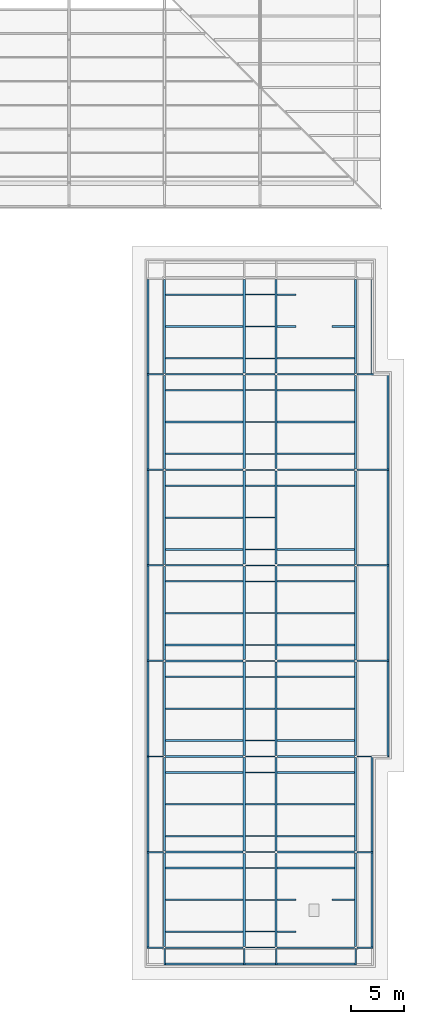
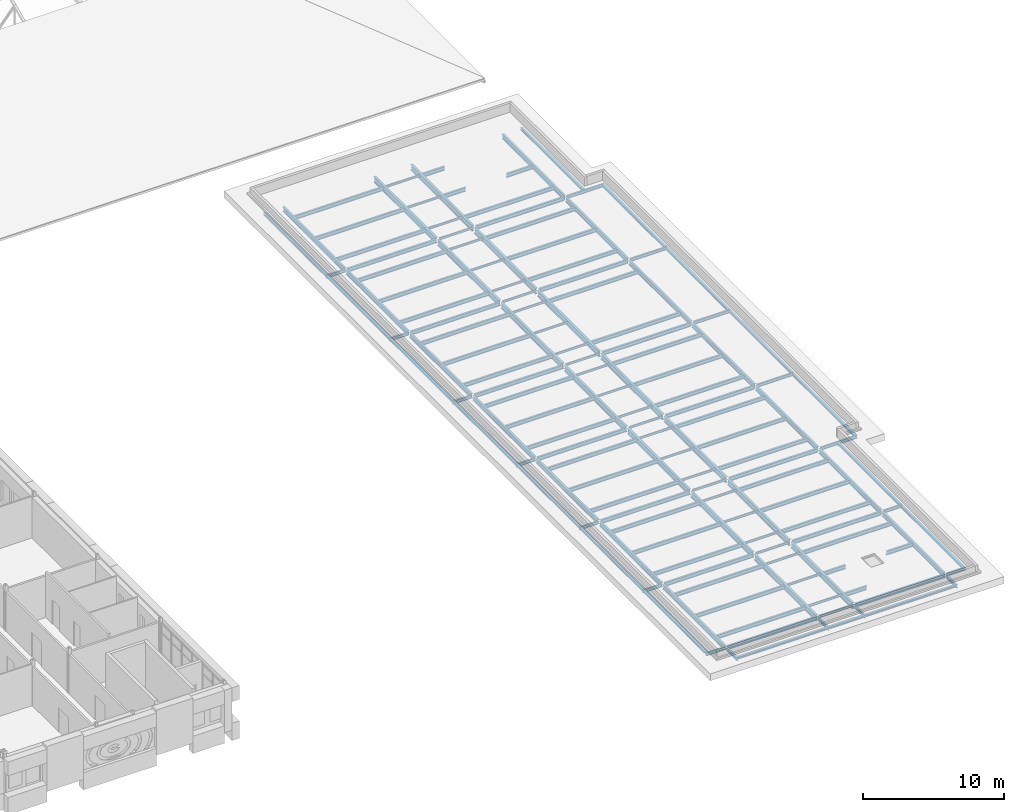
# One storey, part 58 of 154: 148 beams.
"""IFC4 building model written with IfcOpenShell, lengths in metres."""

from ifc_helpers import new_model, si_unit, direction, frame, origin, origin_2d, place, context, subcontext, project, spatial, i_section, extrude, material, material_profile, profile_set, type_object, element, save


model = new_model("IFC4")

# Units and contexts
model_context = context("Model", 3, precision=1e-05, world=origin(), true_north=direction((0.0, 1.0)))
body_context = subcontext(model_context, "Body", "Model", "MODEL_VIEW")
ifc_project = project(units=[si_unit("LENGTHUNIT", "METRE"), si_unit("AREAUNIT", "SQUARE_METRE"), si_unit("VOLUMEUNIT", "CUBIC_METRE"), si_unit("PLANEANGLEUNIT", "RADIAN"), si_unit("MASSUNIT", "GRAM", prefix="KILO")], contexts=[model_context])

# Site, building, storey
site_placement = place(None, origin())
site = spatial("IfcSite", under=ifc_project, at=site_placement, CompositionType="ELEMENT")
building_placement = place(site_placement, origin())
building = spatial("IfcBuilding", under=site, at=building_placement, Name="Golden Quay Civic Hall", CompositionType="ELEMENT")
storey_placement = place(building_placement, frame((0.0, 0.0, 14.39990234375)))
storey = spatial("IfcBuildingStorey", under=building, at=storey_placement, Name="L03", CompositionType="ELEMENT", Elevation=14.39990234375)

# Beams
ifc_material_1 = material(Name="Steel S355", Category="steel")
ifc_material_profile_1 = material_profile(ifc_material_1, i_section(OverallWidth=0.199951171875, OverallDepth=0.18994140625, WebThickness=0.006591796875, FlangeThickness=0.010009765625, FilletRadius=0.01806640625, at=origin_2d()), Name="HEA 200")
ifc_profile_set_1 = profile_set([ifc_material_profile_1], Name="Steel S355")
beam_type_1 = type_object("IfcBeamType", Name="Eave edge beam HEA 200", PredefinedType="BEAM", material=ifc_profile_set_1)
for number, where, z_axis, x_axis, name in (
    (1, (151.449951171875, -8.9326171875, -0.344970703125), (0.0, 1.0, 0.0), (-1.0, 0.0, 0.0), "Eave edge beam HEA 200 L03 1"),
    (2, (151.449951171875, 0.0673828125, -0.344970703125), (0.0, 1.0, 0.0), (-1.0, 0.0, 0.0), "Eave edge beam HEA 200 L03 2"),
    (3, (151.449951171875, 9.0673828125, -0.344970703125), (0.0, 1.0, 0.0), (-1.0, 0.0, 0.0), "Eave edge beam HEA 200 L03 3"),
    (4, (151.449951171875, 18.0673828125, -0.344970703125), (0.0, 1.0, 0.0), (-1.0, 0.0, 0.0), "Eave edge beam HEA 200 L03 4"),
    (5, (151.449951171875, 27.0673828125, -0.344970703125), (0.0, 1.0, 0.0), (-1.0, 0.0, 0.0), "Eave edge beam HEA 200 L03 5"),
    (6, (151.449951171875, 36.0673828125, -0.344970703125), (0.0, 1.0, 0.0), (-1.0, 0.0, 0.0), "Eave edge beam HEA 200 L03 6"),
    (7, (151.449951171875, 45.0673828125, -0.344970703125), (0.0, 1.0, 0.0), (-1.0, 0.0, 0.0), "Eave edge beam HEA 200 L03 7"),
    (8, (172.550048828125, -8.9326171875, -0.344970703125), (0.0, 1.0, 0.0), (-1.0, 0.0, 0.0), "Eave edge beam HEA 200 L03 11"),
    (9, (172.550048828125, 0.0673828125, -0.344970703125), (0.0, 1.0, 0.0), (-1.0, 0.0, 0.0), "Eave edge beam HEA 200 L03 12"),
    (10, (174.050048828125, 9.0673828125, -0.344970703125), (0.0, 1.0, 0.0), (-1.0, 0.0, 0.0), "Eave edge beam HEA 200 L03 13"),
    (11, (174.050048828125, 18.0673828125, -0.344970703125), (0.0, 1.0, 0.0), (-1.0, 0.0, 0.0), "Eave edge beam HEA 200 L03 14"),
    (12, (174.050048828125, 27.0673828125, -0.344970703125), (0.0, 1.0, 0.0), (-1.0, 0.0, 0.0), "Eave edge beam HEA 200 L03 15"),
    (13, (174.050048828125, 36.0673828125, -0.344970703125), (0.0, 1.0, 0.0), (-1.0, 0.0, 0.0), "Eave edge beam HEA 200 L03 16"),
    (14, (172.550048828125, 45.0673828125, -0.344970703125), (0.0, 1.0, 0.0), (-1.0, 0.0, 0.0), "Eave edge beam HEA 200 L03 17"),
):
    element("IfcBeam", number, at=place(storey_placement, frame(where, z_axis=z_axis, x_axis=x_axis)), inside=storey, type_object=beam_type_1, Name=name, PredefinedType="BEAM", context=body_context, shape_type="SweptSolid", body=[
        extrude(i_section(OverallWidth=0.199951171875, OverallDepth=0.18994140625, WebThickness=0.006591796875, FlangeThickness=0.010009765625, FilletRadius=0.01806640625, at=origin_2d()), origin(), (0.0, 0.0, 1.0), 8.865234375),
    ])
beam_1_placement = place(storey_placement, frame((153.0673828125, -10.550048828125, -0.344970703125), z_axis=(1.0, 0.0, 0.0), x_axis=(0.0, 1.0, 0.0)))
element("IfcBeam", 15, at=beam_1_placement, inside=storey, type_object=beam_type_1, Name="Eave edge beam HEA 200 L03 18", PredefinedType="BEAM", context=body_context, shape_type="SweptSolid", body=[
    extrude(i_section(OverallWidth=0.199951171875, OverallDepth=0.18994140625, WebThickness=0.006591796875, FlangeThickness=0.010009765625, FilletRadius=0.01806640625, at=origin_2d()), origin(), (0.0, 0.0, 1.0), 7.365234375),
])
beam_2_placement = place(storey_placement, frame((160.5673828125, -10.550048828125, -0.344970703125), z_axis=(1.0, 0.0, 0.0), x_axis=(0.0, 1.0, 0.0)))
element("IfcBeam", 16, at=beam_2_placement, inside=storey, type_object=beam_type_1, Name="Eave edge beam HEA 200 L03 19", PredefinedType="BEAM", context=body_context, shape_type="SweptSolid", body=[
    extrude(i_section(OverallWidth=0.199951171875, OverallDepth=0.18994140625, WebThickness=0.006591796875, FlangeThickness=0.010009765625, FilletRadius=0.01806640625, at=origin_2d()), origin(), (0.0, 0.0, 1.0), 2.865234375),
])
beam_3_placement = place(storey_placement, frame((163.5673828125, -10.550048828125, -0.344970703125), z_axis=(1.0, 0.0, 0.0), x_axis=(0.0, 1.0, 0.0)))
element("IfcBeam", 17, at=beam_3_placement, inside=storey, type_object=beam_type_1, Name="Eave edge beam HEA 200 L03 20", PredefinedType="BEAM", context=body_context, shape_type="SweptSolid", body=[
    extrude(i_section(OverallWidth=0.199951171875, OverallDepth=0.18994140625, WebThickness=0.006591796875, FlangeThickness=0.010009765625, FilletRadius=0.01806640625, at=origin_2d()), origin(), (0.0, 0.0, 1.0), 7.365234375),
])
ifc_material_2 = material(Name="Steel S355", Category="steel")
ifc_material_profile_2 = material_profile(ifc_material_2, i_section(OverallWidth=0.135009765625, OverallDepth=0.27001953125, WebThickness=0.006591796875, FlangeThickness=0.01025390625, FilletRadius=0.014892578125, at=origin_2d()), Name="IPE 270")
ifc_profile_set_2 = profile_set([ifc_material_profile_2], Name="Steel S355")
beam_type_2 = type_object("IfcBeamType", Name="Eave stub IPE 270", PredefinedType="BEAM", material=ifc_profile_set_2)
for number, where, z_axis, x_axis, name in (
    (18, (152.89990234375, -9.0, -0.385009765625), (-1.0, 0.0, 0.0), (0.0, -1.0, 0.0), "Eave stub IPE 270 L03 1"),
    (19, (152.89990234375, 0.0, -0.385009765625), (-1.0, 0.0, 0.0), (0.0, -1.0, 0.0), "Eave stub IPE 270 L03 2"),
    (20, (152.89990234375, 9.0, -0.385009765625), (-1.0, 0.0, 0.0), (0.0, -1.0, 0.0), "Eave stub IPE 270 L03 3"),
    (21, (152.89990234375, 18.0, -0.385009765625), (-1.0, 0.0, 0.0), (0.0, -1.0, 0.0), "Eave stub IPE 270 L03 4"),
    (22, (152.89990234375, 27.0, -0.385009765625), (-1.0, 0.0, 0.0), (0.0, -1.0, 0.0), "Eave stub IPE 270 L03 5"),
    (23, (152.89990234375, 36.0, -0.385009765625), (-1.0, 0.0, 0.0), (0.0, -1.0, 0.0), "Eave stub IPE 270 L03 6"),
    (24, (152.89990234375, 45.0, -0.385009765625), (-1.0, 0.0, 0.0), (0.0, -1.0, 0.0), "Eave stub IPE 270 L03 7"),
    (25, (171.10009765625, -9.0, -0.385009765625), (1.0, 0.0, 0.0), (0.0, 1.0, 0.0), "Eave stub IPE 270 L03 13"),
    (26, (171.10009765625, 0.0, -0.385009765625), (1.0, 0.0, 0.0), (0.0, 1.0, 0.0), "Eave stub IPE 270 L03 14"),
):
    element("IfcBeam", number, at=place(storey_placement, frame(where, z_axis=z_axis, x_axis=x_axis)), inside=storey, type_object=beam_type_2, Name=name, PredefinedType="BEAM", context=body_context, shape_type="SweptSolid", body=[
        extrude(i_section(OverallWidth=0.135009765625, OverallDepth=0.27001953125, WebThickness=0.006591796875, FlangeThickness=0.01025390625, FilletRadius=0.014892578125, at=origin_2d()), origin(), (0.0, 0.0, 1.0), 1.5498046875),
    ])
for number, where, z_axis, x_axis, name in (
    (27, (171.10009765625, 9.0, -0.385009765625), (1.0, 0.0, 0.0), (0.0, 1.0, 0.0), "Eave stub IPE 270 L03 15"),
    (28, (171.10009765625, 18.0, -0.385009765625), (1.0, 0.0, 0.0), (0.0, 1.0, 0.0), "Eave stub IPE 270 L03 16"),
    (29, (171.10009765625, 27.0, -0.385009765625), (1.0, 0.0, 0.0), (0.0, 1.0, 0.0), "Eave stub IPE 270 L03 17"),
    (30, (171.10009765625, 36.0, -0.385009765625), (1.0, 0.0, 0.0), (0.0, 1.0, 0.0), "Eave stub IPE 270 L03 18"),
    (31, (171.10009765625, 45.0, -0.385009765625), (1.0, 0.0, 0.0), (0.0, 1.0, 0.0), "Eave stub IPE 270 L03 19"),
):
    element("IfcBeam", number, at=place(storey_placement, frame(where, z_axis=z_axis, x_axis=x_axis)), inside=storey, type_object=beam_type_2, Name=name, PredefinedType="BEAM", context=body_context, shape_type="SweptSolid", body=[
        extrude(i_section(OverallWidth=0.135009765625, OverallDepth=0.27001953125, WebThickness=0.006591796875, FlangeThickness=0.01025390625, FilletRadius=0.014892578125, at=origin_2d()), origin(), (0.0, 0.0, 1.0), 3.0498046875),
    ])
for number, where, z_axis, x_axis, name in (
    (32, (153.0, -9.094970703125, -0.385009765625), (0.0, -1.0, 0.0), (1.0, 0.0, 0.0), "Eave stub IPE 270 L03 21"),
    (33, (160.5, -9.094970703125, -0.385009765625), (0.0, -1.0, 0.0), (1.0, 0.0, 0.0), "Eave stub IPE 270 L03 22"),
    (34, (163.5, -9.094970703125, -0.385009765625), (0.0, -1.0, 0.0), (1.0, 0.0, 0.0), "Eave stub IPE 270 L03 23"),
    (35, (171.0, -9.094970703125, -0.385009765625), (0.0, -1.0, 0.0), (1.0, 0.0, 0.0), "Eave stub IPE 270 L03 24"),
):
    element("IfcBeam", number, at=place(storey_placement, frame(where, z_axis=z_axis, x_axis=x_axis)), inside=storey, type_object=beam_type_2, Name=name, PredefinedType="BEAM", context=body_context, shape_type="SweptSolid", body=[
        extrude(i_section(OverallWidth=0.135009765625, OverallDepth=0.27001953125, WebThickness=0.006591796875, FlangeThickness=0.01025390625, FilletRadius=0.014892578125, at=origin_2d()), origin(), (0.0, 0.0, 1.0), 1.554931640625),
    ])
ifc_material_3 = material(Name="Steel S355", Category="steel")
ifc_material_profile_3 = material_profile(ifc_material_3, i_section(OverallWidth=0.10009765625, OverallDepth=0.199951171875, WebThickness=0.005615234375, FlangeThickness=0.008544921875, FilletRadius=0.011962890625, at=origin_2d()), Name="IPE 200")
ifc_profile_set_3 = profile_set([ifc_material_profile_3], Name="Steel S355")
beam_type_3 = type_object("IfcBeamType", Name="Steel beam IPE 200", PredefinedType="BEAM", material=ifc_profile_set_3)
beam_4_placement = place(storey_placement, frame((160.60009765625, -9.0, -0.349853515625), z_axis=(1.0, 0.0, 0.0), x_axis=(0.0, 1.0, 0.0)))
element("IfcBeam", 36, at=beam_4_placement, inside=storey, type_object=beam_type_3, Name="Beam S-9-160.5", PredefinedType="BEAM", context=body_context, shape_type="SweptSolid", body=[
    extrude(i_section(OverallWidth=0.10009765625, OverallDepth=0.199951171875, WebThickness=0.005615234375, FlangeThickness=0.008544921875, FilletRadius=0.011962890625, at=origin_2d()), origin(), (0.0, 0.0, 1.0), 2.7998046875),
])
for number, where, z_axis, x_axis, name in (
    (37, (160.6201171875, 0.0, -0.349853515625), (1.0, 0.0, 0.0), (0.0, 1.0, 0.0), "Beam S0-160.5"),
    (38, (160.6201171875, 9.0, -0.349853515625), (1.0, 0.0, 0.0), (0.0, 1.0, 0.0), "Beam S9-160.5"),
    (39, (160.6201171875, 18.0, -0.349853515625), (1.0, 0.0, 0.0), (0.0, 1.0, 0.0), "Beam S18-160.5"),
    (40, (160.6201171875, 27.0, -0.349853515625), (1.0, 0.0, 0.0), (0.0, 1.0, 0.0), "Beam S27-160.5"),
    (41, (160.6201171875, 36.0, -0.349853515625), (1.0, 0.0, 0.0), (0.0, 1.0, 0.0), "Beam S36-160.5"),
    (42, (160.6201171875, 45.0, -0.349853515625), (1.0, 0.0, 0.0), (0.0, 1.0, 0.0), "Beam S45-160.5"),
):
    element("IfcBeam", number, at=place(storey_placement, frame(where, z_axis=z_axis, x_axis=x_axis)), inside=storey, type_object=beam_type_3, Name=name, PredefinedType="BEAM", context=body_context, shape_type="SweptSolid", body=[
        extrude(i_section(OverallWidth=0.10009765625, OverallDepth=0.199951171875, WebThickness=0.005615234375, FlangeThickness=0.008544921875, FilletRadius=0.011962890625, at=origin_2d()), origin(), (0.0, 0.0, 1.0), 2.759765625),
    ])
ifc_material_4 = material(Name="Steel S355", Category="steel")
ifc_material_profile_4 = material_profile(ifc_material_4, i_section(OverallWidth=0.159912109375, OverallDepth=0.330078125, WebThickness=0.007568359375, FlangeThickness=0.011474609375, FilletRadius=0.01806640625, at=origin_2d()), Name="IPE 330")
ifc_profile_set_4 = profile_set([ifc_material_profile_4], Name="Steel S355")
beam_type_4 = type_object("IfcBeamType", Name="Steel beam IPE 330", PredefinedType="BEAM", material=ifc_profile_set_4)
for number, where, z_axis, x_axis, name in (
    (43, (153.10009765625, -9.0, -0.414794921875), (1.0, 0.0, 0.0), (0.0, 1.0, 0.0), "Beam S-9-153"),
    (44, (163.60009765625, -9.0, -0.414794921875), (1.0, 0.0, 0.0), (0.0, 1.0, 0.0), "Beam S-9-163.5"),
):
    element("IfcBeam", number, at=place(storey_placement, frame(where, z_axis=z_axis, x_axis=x_axis)), inside=storey, type_object=beam_type_4, Name=name, PredefinedType="BEAM", context=body_context, shape_type="SweptSolid", body=[
        extrude(i_section(OverallWidth=0.159912109375, OverallDepth=0.330078125, WebThickness=0.007568359375, FlangeThickness=0.011474609375, FilletRadius=0.01806640625, at=origin_2d()), origin(), (0.0, 0.0, 1.0), 7.2998046875),
    ])
for number, where, z_axis, x_axis, name in (
    (45, (153.10009765625, 0.0, -0.414794921875), (1.0, 0.0, 0.0), (0.0, 1.0, 0.0), "Beam S0-153"),
    (46, (163.6201171875, 0.0, -0.414794921875), (1.0, 0.0, 0.0), (0.0, 1.0, 0.0), "Beam S0-163.5"),
    (47, (153.10009765625, 9.0, -0.414794921875), (1.0, 0.0, 0.0), (0.0, 1.0, 0.0), "Beam S9-153"),
    (48, (163.6201171875, 9.0, -0.414794921875), (1.0, 0.0, 0.0), (0.0, 1.0, 0.0), "Beam S9-163.5"),
    (49, (153.10009765625, 18.0, -0.414794921875), (1.0, 0.0, 0.0), (0.0, 1.0, 0.0), "Beam S18-153"),
    (50, (163.6201171875, 18.0, -0.414794921875), (1.0, 0.0, 0.0), (0.0, 1.0, 0.0), "Beam S18-163.5"),
    (51, (153.10009765625, 27.0, -0.414794921875), (1.0, 0.0, 0.0), (0.0, 1.0, 0.0), "Beam S27-153"),
    (52, (163.6201171875, 27.0, -0.414794921875), (1.0, 0.0, 0.0), (0.0, 1.0, 0.0), "Beam S27-163.5"),
    (53, (153.10009765625, 36.0, -0.414794921875), (1.0, 0.0, 0.0), (0.0, 1.0, 0.0), "Beam S36-153"),
    (54, (163.6201171875, 36.0, -0.414794921875), (1.0, 0.0, 0.0), (0.0, 1.0, 0.0), "Beam S36-163.5"),
    (55, (153.10009765625, 45.0, -0.414794921875), (1.0, 0.0, 0.0), (0.0, 1.0, 0.0), "Beam S45-153"),
    (56, (163.6201171875, 45.0, -0.414794921875), (1.0, 0.0, 0.0), (0.0, 1.0, 0.0), "Beam S45-163.5"),
):
    element("IfcBeam", number, at=place(storey_placement, frame(where, z_axis=z_axis, x_axis=x_axis)), inside=storey, type_object=beam_type_4, Name=name, PredefinedType="BEAM", context=body_context, shape_type="SweptSolid", body=[
        extrude(i_section(OverallWidth=0.159912109375, OverallDepth=0.330078125, WebThickness=0.007568359375, FlangeThickness=0.011474609375, FilletRadius=0.01806640625, at=origin_2d()), origin(), (0.0, 0.0, 1.0), 7.27978515625),
    ])
ifc_material_5 = material(Name="Steel S355", Category="steel")
ifc_material_profile_5 = material_profile(ifc_material_5, i_section(OverallWidth=0.179931640625, OverallDepth=0.39990234375, WebThickness=0.008544921875, FlangeThickness=0.013427734375, FilletRadius=0.02099609375, at=origin_2d()), Name="IPE 400")
ifc_profile_set_5 = profile_set([ifc_material_profile_5], Name="Steel S355")
beam_type_5 = type_object("IfcBeamType", Name="Steel beam IPE 400", PredefinedType="BEAM", material=ifc_profile_set_5)
for number, where, z_axis, x_axis, name in (
    (57, (153.0, -8.905029296875, -0.449951171875), (0.0, 1.0, 0.0), (-1.0, 0.0, 0.0), "Beam L153--9"),
    (58, (153.0, 0.094970703125, -0.449951171875), (0.0, 1.0, 0.0), (-1.0, 0.0, 0.0), "Beam L153-0"),
    (59, (153.0, 9.094970703125, -0.449951171875), (0.0, 1.0, 0.0), (-1.0, 0.0, 0.0), "Beam L153-9"),
    (60, (153.0, 18.094970703125, -0.449951171875), (0.0, 1.0, 0.0), (-1.0, 0.0, 0.0), "Beam L153-18"),
    (61, (153.0, 27.094970703125, -0.449951171875), (0.0, 1.0, 0.0), (-1.0, 0.0, 0.0), "Beam L153-27"),
    (62, (153.0, 36.094970703125, -0.449951171875), (0.0, 1.0, 0.0), (-1.0, 0.0, 0.0), "Beam L153-36"),
    (63, (153.0, 45.094970703125, -0.449951171875), (0.0, 1.0, 0.0), (-1.0, 0.0, 0.0), "Beam L153-45"),
    (64, (171.0, -8.905029296875, -0.449951171875), (0.0, 1.0, 0.0), (-1.0, 0.0, 0.0), "Beam L171--9"),
    (65, (171.0, 0.094970703125, -0.449951171875), (0.0, 1.0, 0.0), (-1.0, 0.0, 0.0), "Beam L171-0"),
    (66, (171.0, 9.094970703125, -0.449951171875), (0.0, 1.0, 0.0), (-1.0, 0.0, 0.0), "Beam L171-9"),
    (67, (171.0, 18.094970703125, -0.449951171875), (0.0, 1.0, 0.0), (-1.0, 0.0, 0.0), "Beam L171-18"),
    (68, (171.0, 27.094970703125, -0.449951171875), (0.0, 1.0, 0.0), (-1.0, 0.0, 0.0), "Beam L171-27"),
    (69, (171.0, 36.094970703125, -0.449951171875), (0.0, 1.0, 0.0), (-1.0, 0.0, 0.0), "Beam L171-36"),
    (70, (171.0, 45.094970703125, -0.449951171875), (0.0, 1.0, 0.0), (-1.0, 0.0, 0.0), "Beam L171-45"),
):
    element("IfcBeam", number, at=place(storey_placement, frame(where, z_axis=z_axis, x_axis=x_axis)), inside=storey, type_object=beam_type_5, Name=name, PredefinedType="BEAM", context=body_context, shape_type="SweptSolid", body=[
        extrude(i_section(OverallWidth=0.179931640625, OverallDepth=0.39990234375, WebThickness=0.008544921875, FlangeThickness=0.013427734375, FilletRadius=0.02099609375, at=origin_2d()), origin(), (0.0, 0.0, 1.0), 8.81005859375),
    ])
ifc_material_6 = material(Name="Steel S355", Category="steel")
ifc_material_profile_6 = material_profile(ifc_material_6, i_section(OverallWidth=0.199951171875, OverallDepth=0.5, WebThickness=0.01025390625, FlangeThickness=0.01611328125, FilletRadius=0.02099609375, at=origin_2d()), Name="IPE 500")
ifc_profile_set_6 = profile_set([ifc_material_profile_6], Name="Steel S355")
beam_type_6 = type_object("IfcBeamType", Name="Steel beam IPE 500", PredefinedType="BEAM", material=ifc_profile_set_6)
beam_5_placement = place(storey_placement, frame((160.5, -8.905029296875, -0.5), z_axis=(0.0, 1.0, 0.0), x_axis=(-1.0, 0.0, 0.0)))
element("IfcBeam", 71, at=beam_5_placement, inside=storey, type_object=beam_type_6, Name="Beam L160.5--9", PredefinedType="BEAM", context=body_context, shape_type="SweptSolid", body=[
    extrude(i_section(OverallWidth=0.199951171875, OverallDepth=0.5, WebThickness=0.01025390625, FlangeThickness=0.01611328125, FilletRadius=0.02099609375, at=origin_2d()), origin(), (0.0, 0.0, 1.0), 8.7900390625),
])
for number, where, z_axis, x_axis, name in (
    (72, (160.5, 0.114990234375, -0.5), (0.0, 1.0, 0.0), (-1.0, 0.0, 0.0), "Beam L160.5-0"),
    (73, (160.5, 9.114990234375, -0.5), (0.0, 1.0, 0.0), (-1.0, 0.0, 0.0), "Beam L160.5-9"),
    (74, (160.5, 18.114990234375, -0.5), (0.0, 1.0, 0.0), (-1.0, 0.0, 0.0), "Beam L160.5-18"),
    (75, (160.5, 27.114990234375, -0.5), (0.0, 1.0, 0.0), (-1.0, 0.0, 0.0), "Beam L160.5-27"),
    (76, (160.5, 36.114990234375, -0.5), (0.0, 1.0, 0.0), (-1.0, 0.0, 0.0), "Beam L160.5-36"),
):
    element("IfcBeam", number, at=place(storey_placement, frame(where, z_axis=z_axis, x_axis=x_axis)), inside=storey, type_object=beam_type_6, Name=name, PredefinedType="BEAM", context=body_context, shape_type="SweptSolid", body=[
        extrude(i_section(OverallWidth=0.199951171875, OverallDepth=0.5, WebThickness=0.01025390625, FlangeThickness=0.01611328125, FilletRadius=0.02099609375, at=origin_2d()), origin(), (0.0, 0.0, 1.0), 8.77001953125),
    ])
for number, where, z_axis, x_axis, name in (
    (77, (160.5, 45.114990234375, -0.5), (0.0, 1.0, 0.0), (-1.0, 0.0, 0.0), "Beam L160.5-45"),
    (78, (163.5, -8.905029296875, -0.5), (0.0, 1.0, 0.0), (-1.0, 0.0, 0.0), "Beam L163.5--9"),
):
    element("IfcBeam", number, at=place(storey_placement, frame(where, z_axis=z_axis, x_axis=x_axis)), inside=storey, type_object=beam_type_6, Name=name, PredefinedType="BEAM", context=body_context, shape_type="SweptSolid", body=[
        extrude(i_section(OverallWidth=0.199951171875, OverallDepth=0.5, WebThickness=0.01025390625, FlangeThickness=0.01611328125, FilletRadius=0.02099609375, at=origin_2d()), origin(), (0.0, 0.0, 1.0), 8.7900390625),
    ])
for number, where, z_axis, x_axis, name in (
    (79, (163.5, 0.114990234375, -0.5), (0.0, 1.0, 0.0), (-1.0, 0.0, 0.0), "Beam L163.5-0"),
    (80, (163.5, 9.114990234375, -0.5), (0.0, 1.0, 0.0), (-1.0, 0.0, 0.0), "Beam L163.5-9"),
    (81, (163.5, 18.114990234375, -0.5), (0.0, 1.0, 0.0), (-1.0, 0.0, 0.0), "Beam L163.5-18"),
    (82, (163.5, 27.114990234375, -0.5), (0.0, 1.0, 0.0), (-1.0, 0.0, 0.0), "Beam L163.5-27"),
    (83, (163.5, 36.114990234375, -0.5), (0.0, 1.0, 0.0), (-1.0, 0.0, 0.0), "Beam L163.5-36"),
):
    element("IfcBeam", number, at=place(storey_placement, frame(where, z_axis=z_axis, x_axis=x_axis)), inside=storey, type_object=beam_type_6, Name=name, PredefinedType="BEAM", context=body_context, shape_type="SweptSolid", body=[
        extrude(i_section(OverallWidth=0.199951171875, OverallDepth=0.5, WebThickness=0.01025390625, FlangeThickness=0.01611328125, FilletRadius=0.02099609375, at=origin_2d()), origin(), (0.0, 0.0, 1.0), 8.77001953125),
    ])
beam_6_placement = place(storey_placement, frame((163.5, 45.114990234375, -0.5), z_axis=(0.0, 1.0, 0.0), x_axis=(-1.0, 0.0, 0.0)))
element("IfcBeam", 84, at=beam_6_placement, inside=storey, type_object=beam_type_6, Name="Beam L163.5-45", PredefinedType="BEAM", context=body_context, shape_type="SweptSolid", body=[
    extrude(i_section(OverallWidth=0.199951171875, OverallDepth=0.5, WebThickness=0.01025390625, FlangeThickness=0.01611328125, FilletRadius=0.02099609375, at=origin_2d()), origin(), (0.0, 0.0, 1.0), 8.7900390625),
])
ifc_material_7 = material(Name="Steel S355", Category="steel")
ifc_material_profile_7 = material_profile(ifc_material_7, i_section(OverallWidth=0.10009765625, OverallDepth=0.199951171875, WebThickness=0.005615234375, FlangeThickness=0.008544921875, FilletRadius=0.011962890625, at=origin_2d()), Name="IPE 200")
ifc_profile_set_7 = profile_set([ifc_material_profile_7], Name="Steel S355")
beam_type_7 = type_object("IfcBeamType", Name="Steel joist IPE 200", PredefinedType="JOIST", material=ifc_profile_set_7)
for number, where, z_axis, x_axis, name in (
    (85, (160.60009765625, -7.5, -0.349853515625), (1.0, 0.0, 0.0), (0.0, 1.0, 0.0), "Joist J-7.5-160.5"),
    (86, (160.60009765625, -4.5, -0.349853515625), (1.0, 0.0, 0.0), (0.0, 1.0, 0.0), "Joist J-4.5-160.5"),
    (87, (160.60009765625, -1.5, -0.349853515625), (1.0, 0.0, 0.0), (0.0, 1.0, 0.0), "Joist J-1.5-160.5"),
    (88, (160.60009765625, 1.5, -0.349853515625), (1.0, 0.0, 0.0), (0.0, 1.0, 0.0), "Joist J1.5-160.5"),
    (89, (160.60009765625, 4.5, -0.349853515625), (1.0, 0.0, 0.0), (0.0, 1.0, 0.0), "Joist J4.5-160.5"),
    (90, (160.60009765625, 7.5, -0.349853515625), (1.0, 0.0, 0.0), (0.0, 1.0, 0.0), "Joist J7.5-160.5"),
    (91, (160.60009765625, 10.5, -0.349853515625), (1.0, 0.0, 0.0), (0.0, 1.0, 0.0), "Joist J10.5-160.5"),
    (92, (160.60009765625, 13.5, -0.349853515625), (1.0, 0.0, 0.0), (0.0, 1.0, 0.0), "Joist J13.5-160.5"),
    (93, (160.60009765625, 16.5, -0.349853515625), (1.0, 0.0, 0.0), (0.0, 1.0, 0.0), "Joist J16.5-160.5"),
    (94, (160.60009765625, 19.5, -0.349853515625), (1.0, 0.0, 0.0), (0.0, 1.0, 0.0), "Joist J19.5-160.5"),
    (95, (160.60009765625, 22.5, -0.349853515625), (1.0, 0.0, 0.0), (0.0, 1.0, 0.0), "Joist J22.5-160.5"),
    (96, (160.60009765625, 25.5, -0.349853515625), (1.0, 0.0, 0.0), (0.0, 1.0, 0.0), "Joist J25.5-160.5"),
    (97, (160.60009765625, 28.5, -0.349853515625), (1.0, 0.0, 0.0), (0.0, 1.0, 0.0), "Joist J28.5-160.5"),
    (98, (160.60009765625, 31.5, -0.349853515625), (1.0, 0.0, 0.0), (0.0, 1.0, 0.0), "Joist J31.5-160.5"),
    (99, (160.60009765625, 34.5, -0.349853515625), (1.0, 0.0, 0.0), (0.0, 1.0, 0.0), "Joist J34.5-160.5"),
    (100, (160.60009765625, 37.5, -0.349853515625), (1.0, 0.0, 0.0), (0.0, 1.0, 0.0), "Joist J37.5-160.5"),
    (101, (160.60009765625, 40.5, -0.349853515625), (1.0, 0.0, 0.0), (0.0, 1.0, 0.0), "Joist J40.5-160.5"),
    (102, (160.60009765625, 43.5, -0.349853515625), (1.0, 0.0, 0.0), (0.0, 1.0, 0.0), "Joist J43.5-160.5"),
    (103, (160.60009765625, 46.5, -0.349853515625), (1.0, 0.0, 0.0), (0.0, 1.0, 0.0), "Joist J46.5-160.5"),
    (104, (160.60009765625, 49.5, -0.349853515625), (1.0, 0.0, 0.0), (0.0, 1.0, 0.0), "Joist J49.5-160.5"),
    (105, (160.60009765625, 52.5, -0.349853515625), (1.0, 0.0, 0.0), (0.0, 1.0, 0.0), "Joist J52.5-160.5"),
):
    element("IfcBeam", number, at=place(storey_placement, frame(where, z_axis=z_axis, x_axis=x_axis)), inside=storey, type_object=beam_type_7, Name=name, PredefinedType="JOIST", context=body_context, shape_type="SweptSolid", body=[
        extrude(i_section(OverallWidth=0.10009765625, OverallDepth=0.199951171875, WebThickness=0.005615234375, FlangeThickness=0.008544921875, FilletRadius=0.011962890625, at=origin_2d()), origin(), (0.0, 0.0, 1.0), 2.7998046875),
    ])
ifc_material_8 = material(Name="Steel S355", Category="steel")
ifc_material_profile_8 = material_profile(ifc_material_8, i_section(OverallWidth=0.159912109375, OverallDepth=0.330078125, WebThickness=0.007568359375, FlangeThickness=0.011474609375, FilletRadius=0.01806640625, at=origin_2d()), Name="IPE 330")
ifc_profile_set_8 = profile_set([ifc_material_profile_8], Name="Steel S355")
beam_type_8 = type_object("IfcBeamType", Name="Steel joist IPE 330", PredefinedType="JOIST", material=ifc_profile_set_8)
beam_7_placement = place(storey_placement, frame((153.090087890625, -7.5, -0.414794921875), z_axis=(1.0, 0.0, 0.0), x_axis=(0.0, 1.0, 0.0)))
element("IfcBeam", 106, at=beam_7_placement, inside=storey, type_object=beam_type_8, Name="Joist J-7.5-153", PredefinedType="JOIST", context=body_context, shape_type="SweptSolid", body=[
    extrude(i_section(OverallWidth=0.159912109375, OverallDepth=0.330078125, WebThickness=0.007568359375, FlangeThickness=0.011474609375, FilletRadius=0.01806640625, at=origin_2d()), origin(), (0.0, 0.0, 1.0), 7.309814453125),
])
beam_8_placement = place(storey_placement, frame((163.60009765625, -7.5, -0.414794921875), z_axis=(1.0, 0.0, 0.0), x_axis=(0.0, 1.0, 0.0)))
element("IfcBeam", 107, at=beam_8_placement, inside=storey, type_object=beam_type_8, Name="Joist J-7.5-163.5-0", PredefinedType="JOIST", context=body_context, shape_type="SweptSolid", body=[
    extrude(i_section(OverallWidth=0.159912109375, OverallDepth=0.330078125, WebThickness=0.007568359375, FlangeThickness=0.011474609375, FilletRadius=0.01806640625, at=origin_2d()), origin(), (0.0, 0.0, 1.0), 1.7998046875),
])
beam_9_placement = place(storey_placement, frame((153.090087890625, -4.5, -0.414794921875), z_axis=(1.0, 0.0, 0.0), x_axis=(0.0, 1.0, 0.0)))
element("IfcBeam", 108, at=beam_9_placement, inside=storey, type_object=beam_type_8, Name="Joist J-4.5-153", PredefinedType="JOIST", context=body_context, shape_type="SweptSolid", body=[
    extrude(i_section(OverallWidth=0.159912109375, OverallDepth=0.330078125, WebThickness=0.007568359375, FlangeThickness=0.011474609375, FilletRadius=0.01806640625, at=origin_2d()), origin(), (0.0, 0.0, 1.0), 7.309814453125),
])
beam_10_placement = place(storey_placement, frame((163.60009765625, -4.5, -0.414794921875), z_axis=(1.0, 0.0, 0.0), x_axis=(0.0, 1.0, 0.0)))
element("IfcBeam", 109, at=beam_10_placement, inside=storey, type_object=beam_type_8, Name="Joist J-4.5-163.5-0", PredefinedType="JOIST", context=body_context, shape_type="SweptSolid", body=[
    extrude(i_section(OverallWidth=0.159912109375, OverallDepth=0.330078125, WebThickness=0.007568359375, FlangeThickness=0.011474609375, FilletRadius=0.01806640625, at=origin_2d()), origin(), (0.0, 0.0, 1.0), 1.7998046875),
])
beam_11_placement = place(storey_placement, frame((168.75, -4.5, -0.414794921875), z_axis=(1.0, 0.0, 0.0), x_axis=(0.0, 1.0, 0.0)))
element("IfcBeam", 110, at=beam_11_placement, inside=storey, type_object=beam_type_8, Name="Joist J-4.5-163.5-1", PredefinedType="JOIST", context=body_context, shape_type="SweptSolid", body=[
    extrude(i_section(OverallWidth=0.159912109375, OverallDepth=0.330078125, WebThickness=0.007568359375, FlangeThickness=0.011474609375, FilletRadius=0.01806640625, at=origin_2d()), origin(), (0.0, 0.0, 1.0), 2.159912109375),
])
for number, where, z_axis, x_axis, name in (
    (111, (153.090087890625, -1.5, -0.414794921875), (1.0, 0.0, 0.0), (0.0, 1.0, 0.0), "Joist J-1.5-153"),
    (112, (163.60009765625, -1.5, -0.414794921875), (1.0, 0.0, 0.0), (0.0, 1.0, 0.0), "Joist J-1.5-163.5"),
    (113, (153.090087890625, 1.5, -0.414794921875), (1.0, 0.0, 0.0), (0.0, 1.0, 0.0), "Joist J1.5-153"),
    (114, (163.60009765625, 1.5, -0.414794921875), (1.0, 0.0, 0.0), (0.0, 1.0, 0.0), "Joist J1.5-163.5"),
    (115, (153.090087890625, 4.5, -0.414794921875), (1.0, 0.0, 0.0), (0.0, 1.0, 0.0), "Joist J4.5-153"),
    (116, (163.60009765625, 4.5, -0.414794921875), (1.0, 0.0, 0.0), (0.0, 1.0, 0.0), "Joist J4.5-163.5"),
    (117, (153.090087890625, 7.5, -0.414794921875), (1.0, 0.0, 0.0), (0.0, 1.0, 0.0), "Joist J7.5-153"),
    (118, (163.60009765625, 7.5, -0.414794921875), (1.0, 0.0, 0.0), (0.0, 1.0, 0.0), "Joist J7.5-163.5"),
    (119, (153.090087890625, 10.5, -0.414794921875), (1.0, 0.0, 0.0), (0.0, 1.0, 0.0), "Joist J10.5-153"),
    (120, (163.60009765625, 10.5, -0.414794921875), (1.0, 0.0, 0.0), (0.0, 1.0, 0.0), "Joist J10.5-163.5"),
    (121, (153.090087890625, 13.5, -0.414794921875), (1.0, 0.0, 0.0), (0.0, 1.0, 0.0), "Joist J13.5-153"),
    (122, (163.60009765625, 13.5, -0.414794921875), (1.0, 0.0, 0.0), (0.0, 1.0, 0.0), "Joist J13.5-163.5"),
    (123, (153.090087890625, 16.5, -0.414794921875), (1.0, 0.0, 0.0), (0.0, 1.0, 0.0), "Joist J16.5-153"),
    (124, (163.60009765625, 16.5, -0.414794921875), (1.0, 0.0, 0.0), (0.0, 1.0, 0.0), "Joist J16.5-163.5"),
    (125, (153.090087890625, 19.5, -0.414794921875), (1.0, 0.0, 0.0), (0.0, 1.0, 0.0), "Joist J19.5-153"),
    (126, (163.60009765625, 19.5, -0.414794921875), (1.0, 0.0, 0.0), (0.0, 1.0, 0.0), "Joist J19.5-163.5"),
    (127, (153.090087890625, 22.5, -0.414794921875), (1.0, 0.0, 0.0), (0.0, 1.0, 0.0), "Joist J22.5-153"),
    (128, (163.60009765625, 22.5, -0.414794921875), (1.0, 0.0, 0.0), (0.0, 1.0, 0.0), "Joist J22.5-163.5"),
    (129, (153.090087890625, 25.5, -0.414794921875), (1.0, 0.0, 0.0), (0.0, 1.0, 0.0), "Joist J25.5-153"),
    (130, (163.60009765625, 25.5, -0.414794921875), (1.0, 0.0, 0.0), (0.0, 1.0, 0.0), "Joist J25.5-163.5"),
    (131, (153.090087890625, 28.5, -0.414794921875), (1.0, 0.0, 0.0), (0.0, 1.0, 0.0), "Joist J28.5-153"),
    (132, (163.60009765625, 28.5, -0.414794921875), (1.0, 0.0, 0.0), (0.0, 1.0, 0.0), "Joist J28.5-163.5"),
    (133, (153.090087890625, 31.5, -0.414794921875), (1.0, 0.0, 0.0), (0.0, 1.0, 0.0), "Joist J31.5-153"),
    (134, (153.090087890625, 34.5, -0.414794921875), (1.0, 0.0, 0.0), (0.0, 1.0, 0.0), "Joist J34.5-153"),
    (135, (163.60009765625, 34.5, -0.414794921875), (1.0, 0.0, 0.0), (0.0, 1.0, 0.0), "Joist J34.5-163.5"),
    (136, (153.090087890625, 37.5, -0.414794921875), (1.0, 0.0, 0.0), (0.0, 1.0, 0.0), "Joist J37.5-153"),
    (137, (163.60009765625, 37.5, -0.414794921875), (1.0, 0.0, 0.0), (0.0, 1.0, 0.0), "Joist J37.5-163.5"),
    (138, (153.090087890625, 40.5, -0.414794921875), (1.0, 0.0, 0.0), (0.0, 1.0, 0.0), "Joist J40.5-153"),
    (139, (163.60009765625, 40.5, -0.414794921875), (1.0, 0.0, 0.0), (0.0, 1.0, 0.0), "Joist J40.5-163.5"),
    (140, (153.090087890625, 43.5, -0.414794921875), (1.0, 0.0, 0.0), (0.0, 1.0, 0.0), "Joist J43.5-153"),
    (141, (163.60009765625, 43.5, -0.414794921875), (1.0, 0.0, 0.0), (0.0, 1.0, 0.0), "Joist J43.5-163.5"),
    (142, (153.090087890625, 46.5, -0.414794921875), (1.0, 0.0, 0.0), (0.0, 1.0, 0.0), "Joist J46.5-153"),
    (143, (163.60009765625, 46.5, -0.414794921875), (1.0, 0.0, 0.0), (0.0, 1.0, 0.0), "Joist J46.5-163.5"),
    (144, (153.090087890625, 49.5, -0.414794921875), (1.0, 0.0, 0.0), (0.0, 1.0, 0.0), "Joist J49.5-153"),
):
    element("IfcBeam", number, at=place(storey_placement, frame(where, z_axis=z_axis, x_axis=x_axis)), inside=storey, type_object=beam_type_8, Name=name, PredefinedType="JOIST", context=body_context, shape_type="SweptSolid", body=[
        extrude(i_section(OverallWidth=0.159912109375, OverallDepth=0.330078125, WebThickness=0.007568359375, FlangeThickness=0.011474609375, FilletRadius=0.01806640625, at=origin_2d()), origin(), (0.0, 0.0, 1.0), 7.309814453125),
    ])
beam_12_placement = place(storey_placement, frame((163.60009765625, 49.5, -0.414794921875), z_axis=(1.0, 0.0, 0.0), x_axis=(0.0, 1.0, 0.0)))
element("IfcBeam", 145, at=beam_12_placement, inside=storey, type_object=beam_type_8, Name="Joist J49.5-163.5-0", PredefinedType="JOIST", context=body_context, shape_type="SweptSolid", body=[
    extrude(i_section(OverallWidth=0.159912109375, OverallDepth=0.330078125, WebThickness=0.007568359375, FlangeThickness=0.011474609375, FilletRadius=0.01806640625, at=origin_2d()), origin(), (0.0, 0.0, 1.0), 1.7998046875),
])
beam_13_placement = place(storey_placement, frame((168.75, 49.5, -0.414794921875), z_axis=(1.0, 0.0, 0.0), x_axis=(0.0, 1.0, 0.0)))
element("IfcBeam", 146, at=beam_13_placement, inside=storey, type_object=beam_type_8, Name="Joist J49.5-163.5-1", PredefinedType="JOIST", context=body_context, shape_type="SweptSolid", body=[
    extrude(i_section(OverallWidth=0.159912109375, OverallDepth=0.330078125, WebThickness=0.007568359375, FlangeThickness=0.011474609375, FilletRadius=0.01806640625, at=origin_2d()), origin(), (0.0, 0.0, 1.0), 2.159912109375),
])
beam_14_placement = place(storey_placement, frame((153.090087890625, 52.5, -0.414794921875), z_axis=(1.0, 0.0, 0.0), x_axis=(0.0, 1.0, 0.0)))
element("IfcBeam", 147, at=beam_14_placement, inside=storey, type_object=beam_type_8, Name="Joist J52.5-153", PredefinedType="JOIST", context=body_context, shape_type="SweptSolid", body=[
    extrude(i_section(OverallWidth=0.159912109375, OverallDepth=0.330078125, WebThickness=0.007568359375, FlangeThickness=0.011474609375, FilletRadius=0.01806640625, at=origin_2d()), origin(), (0.0, 0.0, 1.0), 7.309814453125),
])
beam_15_placement = place(storey_placement, frame((163.60009765625, 52.5, -0.414794921875), z_axis=(1.0, 0.0, 0.0), x_axis=(0.0, 1.0, 0.0)))
element("IfcBeam", 148, at=beam_15_placement, inside=storey, type_object=beam_type_8, Name="Joist J52.5-163.5-0", PredefinedType="JOIST", context=body_context, shape_type="SweptSolid", body=[
    extrude(i_section(OverallWidth=0.159912109375, OverallDepth=0.330078125, WebThickness=0.007568359375, FlangeThickness=0.011474609375, FilletRadius=0.01806640625, at=origin_2d()), origin(), (0.0, 0.0, 1.0), 1.7998046875),
])

save(model, "model.ifc")
